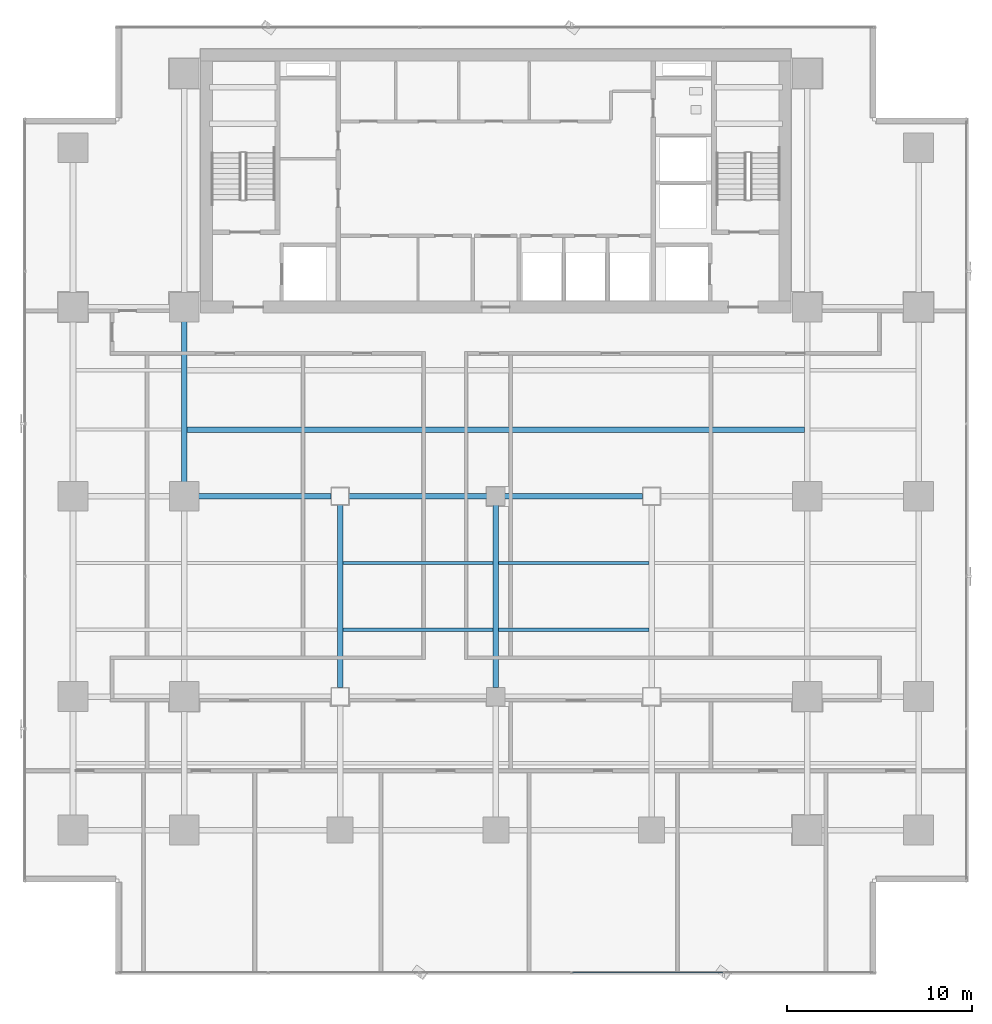
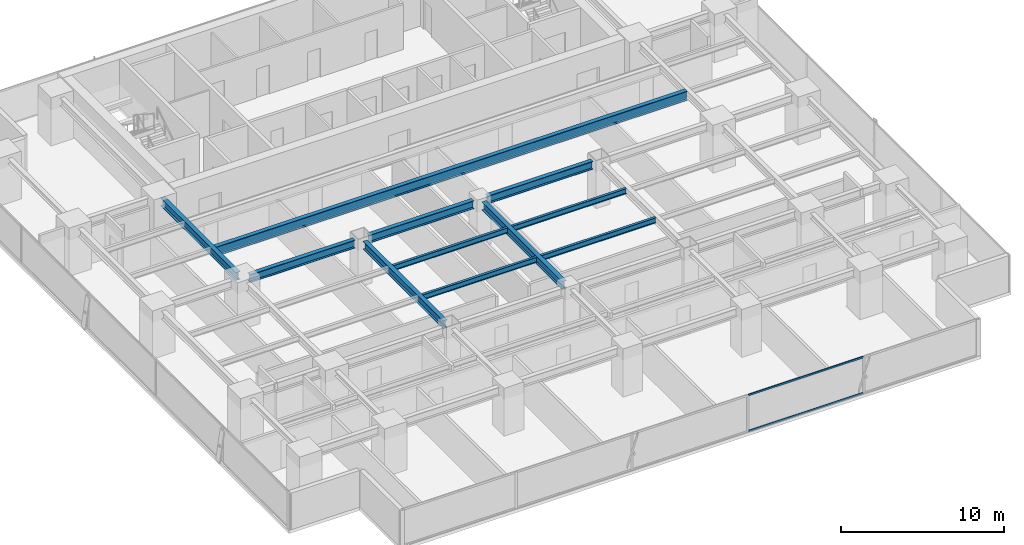
# One storey, part 11 of 37: 11 beams, 2 members, 1 element without a shape of its own.
"""IFC4 building model written with IfcOpenShell, lengths in metres."""

from ifc_helpers import new_model, si_unit, direction, frame, origin, origin_2d, place, context, subcontext, project, spatial, hollow_rectangle, i_section, extrude, source, transform, mapped, material, layer, layer_set, material_profile, profile_set, type_object, element, aggregate, save


model = new_model("IFC4")

# Units and contexts
model_context = context("Model", 3, precision=1e-05, world=origin(), true_north=direction((0.0, 1.0)))
body_context = subcontext(model_context, "Body", "Model", "MODEL_VIEW")
ifc_project = project(units=[si_unit("LENGTHUNIT", "METRE"), si_unit("AREAUNIT", "SQUARE_METRE"), si_unit("VOLUMEUNIT", "CUBIC_METRE"), si_unit("PLANEANGLEUNIT", "RADIAN"), si_unit("MASSUNIT", "GRAM", prefix="KILO")], contexts=[model_context])

# Site, building, storey
site_placement = place(None, origin())
site = spatial("IfcSite", under=ifc_project, at=site_placement, CompositionType="ELEMENT")
building_placement = place(site_placement, origin())
building = spatial("IfcBuilding", under=site, at=building_placement, Name="Sumidabori Civic Tower", CompositionType="ELEMENT")
storey_placement = place(building_placement, frame((0.0, 0.0, 117.199951171875)))
storey = spatial("IfcBuildingStorey", under=building, at=storey_placement, Name="L30", CompositionType="ELEMENT", Elevation=117.199951171875)

# Beams
ifc_material_1 = material(Name="Steel SN490", Category="steel")
ifc_material_profile_1 = material_profile(ifc_material_1, i_section(OverallWidth=0.300048828125, OverallDepth=0.60009765625, WebThickness=0.015380859375, FlangeThickness=0.030029296875, at=origin_2d()), Name="HE 600 B")
ifc_profile_set_1 = profile_set([ifc_material_profile_1], Name="Steel SN490")
beam_type_1 = type_object("IfcBeamType", Name="BM-GIRD-600", PredefinedType="BEAM", material=ifc_profile_set_1)
shared_shape_1 = source(origin(), body_context, "Body", "SweptSolid", [
    extrude(i_section(OverallWidth=0.300048828125, OverallDepth=0.60009765625, WebThickness=0.015380859375, FlangeThickness=0.030029296875, at=origin_2d()), origin(), (0.0, 0.0, 1.0), 7.440185546875),
])
beam_1_placement = place(storey_placement, frame((-16.320068359375, 0.0, 3.06005859375), z_axis=(1.0, 0.0, 0.0), x_axis=(0.0, 1.0, 0.0)))
element("IfcBeam", 1, at=beam_1_placement, inside=storey, type_object=beam_type_1, Name="Primary Girder L30 GX-14", PredefinedType="BEAM", context=body_context, shape_type="MappedRepresentation", body=[
    mapped(shared_shape_1, transform((0.0, 0.0, 0.0), x_axis=(1.0, 0.0, 0.0), y_axis=(0.0, 1.0, 0.0), z_axis=(0.0, 0.0, 1.0), scale=1.0)),
])
shared_shape_2 = source(origin(), body_context, "Body", "SweptSolid", [
    extrude(i_section(OverallWidth=0.300048828125, OverallDepth=0.60009765625, WebThickness=0.015380859375, FlangeThickness=0.030029296875, at=origin_2d()), origin(), (0.0, 0.0, 1.0), 7.43994140625),
])
for number, where, z_axis, x_axis, name in (
    (2, (-7.919921875, 0.0, 3.06005859375), (1.0, 0.0, 0.0), (0.0, 1.0, 0.0), "Primary Girder L30 GX-15"),
    (3, (0.47998046875, 0.0, 3.06005859375), (1.0, 0.0, 0.0), (0.0, 1.0, 0.0), "Primary Girder L30 GX-16"),
):
    element("IfcBeam", number, at=place(storey_placement, frame(where, z_axis=z_axis, x_axis=x_axis)), inside=storey, type_object=beam_type_1, Name=name, PredefinedType="BEAM", context=body_context, shape_type="MappedRepresentation", body=[
        mapped(shared_shape_2, transform((0.0, 0.0, 0.0), x_axis=(1.0, 0.0, 0.0), y_axis=(0.0, 1.0, 0.0), z_axis=(0.0, 0.0, 1.0), scale=1.0)),
    ])
shared_shape_3 = source(origin(), body_context, "Body", "SweptSolid", [
    extrude(i_section(OverallWidth=0.300048828125, OverallDepth=0.60009765625, WebThickness=0.015380859375, FlangeThickness=0.030029296875, at=origin_2d()), origin(), (0.0, 0.0, 1.0), 9.840087890625),
])
for number, where, z_axis, x_axis, name in (
    (4, (-8.39990234375, -10.320068359375, 3.06005859375), (0.0, 1.0, 0.0), (-1.0, 0.0, 0.0), "Primary Girder L30 GY-30"),
    (5, (0.0, -10.320068359375, 3.06005859375), (0.0, 1.0, 0.0), (-1.0, 0.0, 0.0), "Primary Girder L30 GY-32"),
):
    element("IfcBeam", number, at=place(storey_placement, frame(where, z_axis=z_axis, x_axis=x_axis)), inside=storey, type_object=beam_type_1, Name=name, PredefinedType="BEAM", context=body_context, shape_type="MappedRepresentation", body=[
        mapped(shared_shape_3, transform((0.0, 0.0, 0.0), x_axis=(1.0, 0.0, 0.0), y_axis=(0.0, 1.0, 0.0), z_axis=(0.0, 0.0, 1.0), scale=1.0)),
    ])
shared_shape_4 = source(origin(), body_context, "Body", "SweptSolid", [
    extrude(i_section(OverallWidth=0.300048828125, OverallDepth=0.60009765625, WebThickness=0.015380859375, FlangeThickness=0.030029296875, at=origin_2d()), origin(), (0.0, 0.0, 1.0), 9.239990234375),
])
beam_2_placement = place(storey_placement, frame((-16.800048828125, 0.47998046875, 3.06005859375), z_axis=(0.0, 1.0, 0.0), x_axis=(-1.0, 0.0, 0.0)))
element("IfcBeam", 6, at=beam_2_placement, inside=storey, type_object=beam_type_1, Name="Primary Girder L30 GY-27", PredefinedType="BEAM", context=body_context, shape_type="MappedRepresentation", body=[
    mapped(shared_shape_4, transform((0.0, 0.0, 0.0), x_axis=(1.0, 0.0, 0.0), y_axis=(0.0, 1.0, 0.0), z_axis=(0.0, 0.0, 1.0), scale=1.0)),
])
ifc_material_profile_2 = material_profile(ifc_material_1, i_section(OverallWidth=0.300048828125, OverallDepth=0.699951171875, WebThickness=0.01708984375, FlangeThickness=0.031982421875, at=origin_2d()), Name="HE 700 B")
ifc_profile_set_2 = profile_set([ifc_material_profile_2], Name="Steel SN490")
beam_type_2 = type_object("IfcBeamType", Name="BM-GIRD-700", PredefinedType="BEAM", material=ifc_profile_set_2)
shared_shape_5 = source(origin(), body_context, "Body", "SweptSolid", [
    extrude(i_section(OverallWidth=0.300048828125, OverallDepth=0.699951171875, WebThickness=0.01708984375, FlangeThickness=0.031982421875, at=origin_2d()), origin(), (0.0, 0.0, 1.0), 33.2998046875),
])
beam_3_placement = place(storey_placement, frame((-16.64990234375, 3.60009765625, 3.010009765625), z_axis=(1.0, 0.0, 0.0), x_axis=(0.0, 1.0, 0.0)))
element("IfcBeam", 7, at=beam_3_placement, inside=storey, type_object=beam_type_2, Name="North Bay Floor Beam L30 JSTN-53", PredefinedType="BEAM", context=body_context, shape_type="MappedRepresentation", body=[
    mapped(shared_shape_5, transform((0.0, 0.0, 0.0), x_axis=(1.0, 0.0, 0.0), y_axis=(0.0, 1.0, 0.0), z_axis=(0.0, 0.0, 1.0), scale=1.0)),
])
ifc_material_profile_3 = material_profile(ifc_material_1, i_section(OverallWidth=0.179931640625, OverallDepth=0.39990234375, WebThickness=0.008544921875, FlangeThickness=0.013427734375, at=origin_2d()), Name="IPE 400")
ifc_profile_set_3 = profile_set([ifc_material_profile_3], Name="Steel SN490")
beam_type_3 = type_object("IfcBeamType", Name="BM-JST-400", PredefinedType="JOIST", material=ifc_profile_set_3)
shared_shape_6 = source(origin(), body_context, "Body", "SweptSolid", [
    extrude(i_section(OverallWidth=0.179931640625, OverallDepth=0.39990234375, WebThickness=0.008544921875, FlangeThickness=0.013427734375, at=origin_2d()), origin(), (0.0, 0.0, 1.0), 8.10009765625),
])
for number, where, z_axis, x_axis, name in (
    (8, (-8.25, -7.199951171875, 3.16015625), (1.0, 0.0, 0.0), (0.0, 1.0, 0.0), "South Bay Floor Joist L30 JSTS-60"),
    (9, (0.14990234375, -7.199951171875, 3.16015625), (1.0, 0.0, 0.0), (0.0, 1.0, 0.0), "South Bay Floor Joist L30 JSTS-61"),
    (10, (-8.25, -3.60009765625, 3.16015625), (1.0, 0.0, 0.0), (0.0, 1.0, 0.0), "South Bay Floor Joist L30 JSTS-64"),
    (11, (0.14990234375, -3.60009765625, 3.16015625), (1.0, 0.0, 0.0), (0.0, 1.0, 0.0), "South Bay Floor Joist L30 JSTS-65"),
):
    element("IfcBeam", number, at=place(storey_placement, frame(where, z_axis=z_axis, x_axis=x_axis)), inside=storey, type_object=beam_type_3, Name=name, PredefinedType="JOIST", context=body_context, shape_type="MappedRepresentation", body=[
        mapped(shared_shape_6, transform((0.0, 0.0, 0.0), x_axis=(1.0, 0.0, 0.0), y_axis=(0.0, 1.0, 0.0), z_axis=(0.0, 0.0, 1.0), scale=1.0)),
    ])

# Curtain wall, members
ifc_material_2 = material(Name="Anodised Bronze Aluminium AW-6063-T6", Category="aluminium")
ifc_layer = layer(ifc_material_2, 0.179931640625, Name="Anodised Bronze Aluminium AW-6063-T6")
ifc_layer_set = layer_set([ifc_layer], Name="Anodised Bronze Aluminium AW-6063-T6")
curtain_wall_type = type_object("IfcCurtainWallType", Name="CW-SYS-3", PredefinedType="NOTDEFINED", material=ifc_layer_set)
curtain_wall_placement = place(storey_placement, origin())
curtain_wall = element("IfcCurtainWall", 12, at=curtain_wall_placement, inside=storey, type_object=curtain_wall_type, Name="Curtain Wall CW:L30:R01", PredefinedType="NOTDEFINED")
ifc_material_profile_4 = material_profile(ifc_material_2, hollow_rectangle(XDim=0.06005859375, YDim=0.1298828125, WallThickness=0.0048828125, at=origin_2d()), Name="ALU TRANSOM 130x60")
ifc_profile_set_4 = profile_set([ifc_material_profile_4], Name="Anodised Bronze Aluminium AW-6063-T6")
member_type = type_object("IfcMemberType", Name="CW-TRN-130", PredefinedType="USERDEFINED", material=ifc_profile_set_4)
shared_shape_7 = source(origin(), body_context, "Body", "SweptSolid", [
    extrude(hollow_rectangle(XDim=0.06005859375, YDim=0.1298828125, WallThickness=0.0048828125, at=origin_2d()), origin(), (0.0, 0.0, 1.0), 8.123046875),
])
member_1_placement = place(storey_placement, frame((4.12646484375, -25.679931640625, 0.030029296875), z_axis=(1.0, 0.0, 0.0), x_axis=(0.0, 1.0, 0.0)))
member_1 = element("IfcMember", 13, at=member_1_placement, type_object=member_type, Name="CW-3 transom 4.1", ObjectType="TRANSOM", PredefinedType="USERDEFINED", context=body_context, shape_type="MappedRepresentation", body=[
    mapped(shared_shape_7, transform((0.0, 0.0, 0.0), x_axis=(1.0, 0.0, 0.0), y_axis=(0.0, 1.0, 0.0), z_axis=(0.0, 0.0, 1.0), scale=1.0)),
])
member_2_placement = place(storey_placement, frame((4.12646484375, -25.679931640625, 2.7099609375), z_axis=(1.0, 0.0, 0.0), x_axis=(0.0, 1.0, 0.0)))
member_2 = element("IfcMember", 14, at=member_2_placement, type_object=member_type, Name="CW-3 transom 4.2", ObjectType="TRANSOM", PredefinedType="USERDEFINED", context=body_context, shape_type="MappedRepresentation", body=[
    mapped(shared_shape_7, transform((0.0, 0.0, 0.0), x_axis=(1.0, 0.0, 0.0), y_axis=(0.0, 1.0, 0.0), z_axis=(0.0, 0.0, 1.0), scale=1.0)),
])
aggregate(curtain_wall, [member_1, member_2])

save(model, "model.ifc")
